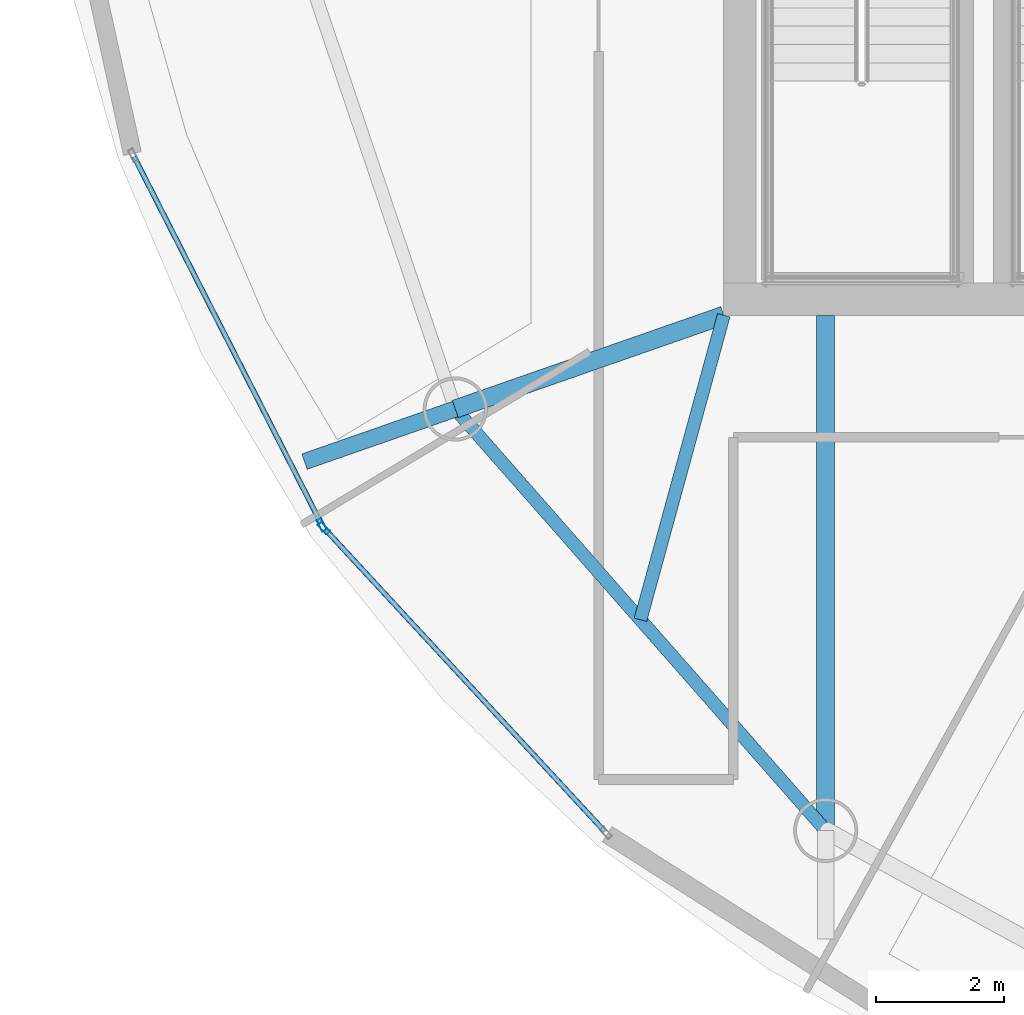
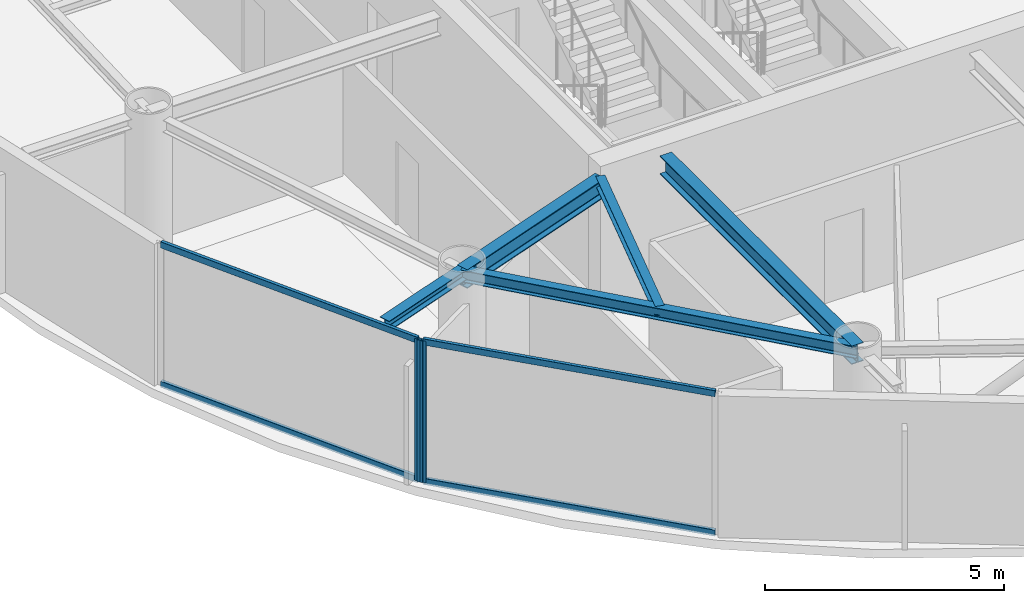
# One storey, part 3 of 22: 6 members, 5 beams, 2 elements without a shape of their own.
"""IFC4 building model written with IfcOpenShell, lengths in metres."""

from ifc_helpers import new_model, si_unit, direction, frame, origin, origin_2d, place, context, subcontext, project, spatial, hollow_rectangle, i_section, extrude, material, layer, layer_set, material_profile, profile_set, type_object, element, aggregate, save


model = new_model("IFC4")

# Units and contexts
model_context = context("Model", 3, precision=1e-05, world=origin(), true_north=direction((0.0, 1.0)))
body_context = subcontext(model_context, "Body", "Model", "MODEL_VIEW")
ifc_project = project(units=[si_unit("LENGTHUNIT", "METRE"), si_unit("AREAUNIT", "SQUARE_METRE"), si_unit("VOLUMEUNIT", "CUBIC_METRE"), si_unit("PLANEANGLEUNIT", "RADIAN"), si_unit("MASSUNIT", "GRAM", prefix="KILO")], contexts=[model_context])

# Site, building, storey
site_placement = place(None, origin())
site = spatial("IfcSite", under=ifc_project, at=site_placement, CompositionType="ELEMENT")
building_placement = place(site_placement, origin())
building = spatial("IfcBuilding", under=site, at=building_placement, Name="Bramvorn Convention Spire", CompositionType="ELEMENT")
storey_placement = place(building_placement, frame((0.0, 0.0, 253.60009765625)))
storey = spatial("IfcBuildingStorey", under=building, at=storey_placement, Name="L64", CompositionType="ELEMENT", Elevation=253.60009765625)

# Beams
ifc_material_1 = material(Name="Steel CSA G40.21 Grade 350 (350W)", Category="steel")
ifc_material_profile_1 = material_profile(ifc_material_1, i_section(OverallWidth=0.201904296875, OverallDepth=0.2470703125, WebThickness=0.00732421875, FlangeThickness=0.010986328125, FilletRadius=0.011962890625, at=origin_2d()))
ifc_profile_set_1 = profile_set([ifc_material_profile_1], Name="Steel CSA G40.21 Grade 350 (350W) - W250X49")
beam_type_1 = type_object("IfcBeamType", Name="BM-W250X49", PredefinedType="JOIST", material=ifc_profile_set_1)
beam_1_placement = place(storey_placement, frame((26.75, 18.550048828125, 3.50146484375), z_axis=(-0.26386506219, -0.96455960363, 0.0), x_axis=(0.96455960363, -0.26386506219, 0.0)))
element("IfcBeam", 1, at=beam_1_placement, inside=storey, type_object=beam_type_1, Name="L64 composite floor joist 13", PredefinedType="JOIST", context=body_context, shape_type="SweptSolid", body=[
    extrude(i_section(OverallWidth=0.201904296875, OverallDepth=0.2470703125, WebThickness=0.00732421875, FlangeThickness=0.010986328125, FilletRadius=0.011962890625, at=origin_2d()), origin(), (0.0, 0.0, 1.0), 4.917724609375),
])
ifc_material_profile_2 = material_profile(ifc_material_1, i_section(OverallWidth=0.25390625, OverallDepth=0.2529296875, WebThickness=0.008544921875, FlangeThickness=0.01416015625, FilletRadius=0.011962890625, at=origin_2d()))
ifc_profile_set_2 = profile_set([ifc_material_profile_2], Name="Steel CSA G40.21 Grade 350 (350W) - W250X73")
beam_type_2 = type_object("IfcBeamType", Name="BM-W250X73", PredefinedType="BEAM", material=ifc_profile_set_2)
beam_2_placement = place(storey_placement, frame((22.5673828125, 17.090087890625, 3.498291015625), z_axis=(-0.94411501002, -0.329616212974, 0.0), x_axis=(0.329616212974, -0.94411501002, 0.0)))
element("IfcBeam", 2, at=beam_2_placement, inside=storey, type_object=beam_type_2, Name="L64 slab-edge cantilever tip beam MC13", PredefinedType="BEAM", context=body_context, shape_type="SweptSolid", body=[
    extrude(i_section(OverallWidth=0.25390625, OverallDepth=0.2529296875, WebThickness=0.008544921875, FlangeThickness=0.01416015625, FilletRadius=0.011962890625, at=origin_2d()), origin(), (0.0, 0.0, 1.0), 2.48876953125),
])
ifc_material_profile_3 = material_profile(ifc_material_1, i_section(OverallWidth=0.202880859375, OverallDepth=0.302978515625, WebThickness=0.007568359375, FlangeThickness=0.01318359375, FilletRadius=0.013916015625, at=origin_2d()))
ifc_profile_set_3 = profile_set([ifc_material_profile_3], Name="Steel CSA G40.21 Grade 350 (350W) - W310X60")
beam_type_3 = type_object("IfcBeamType", Name="BM-W310X60", PredefinedType="JOIST", material=ifc_profile_set_3)
beam_3_placement = place(storey_placement, frame((22.5673828125, 17.090087890625, 3.473388671875), z_axis=(0.660073062339, -0.751201405999, 0.0), x_axis=(0.751201405999, 0.660073062339, 0.0)))
element("IfcBeam", 3, at=beam_3_placement, inside=storey, type_object=beam_type_3, Name="L64 mega-column ring beam 13", PredefinedType="JOIST", context=body_context, shape_type="SweptSolid", body=[
    extrude(i_section(OverallWidth=0.202880859375, OverallDepth=0.302978515625, WebThickness=0.007568359375, FlangeThickness=0.01318359375, FilletRadius=0.013916015625, at=origin_2d()), origin(), (0.0, 0.0, 1.0), 8.741943359375),
])
ifc_material_profile_4 = material_profile(ifc_material_1, i_section(OverallWidth=0.283935546875, OverallDepth=0.47607421875, WebThickness=0.014892578125, FlangeThickness=0.02392578125, FilletRadius=0.01806640625, at=origin_2d()))
ifc_profile_set_4 = profile_set([ifc_material_profile_4], Name="Steel CSA G40.21 Grade 350 (350W) - W460X158")
beam_type_4 = type_object("IfcBeamType", Name="BM-W460X158", PredefinedType="SPANDREL", material=ifc_profile_set_4)
beam_4_placement = place(storey_placement, frame((26.75, 18.550048828125, 3.386962890625), z_axis=(-0.944136391877, -0.329554962843, 0.0), x_axis=(0.329554962843, -0.944136391877, 0.0)))
element("IfcBeam", 4, at=beam_4_placement, inside=storey, type_object=beam_type_4, Name="L64 radial floor girder MC13", PredefinedType="SPANDREL", context=body_context, shape_type="SweptSolid", body=[
    extrude(i_section(OverallWidth=0.283935546875, OverallDepth=0.47607421875, WebThickness=0.014892578125, FlangeThickness=0.02392578125, FilletRadius=0.01806640625, at=origin_2d()), origin(), (0.0, 0.0, 1.0), 4.43017578125),
])
beam_5_placement = place(storey_placement, frame((28.337646484375, 18.550048828125, 3.386962890625), z_axis=(0.0, -1.0, 0.0), x_axis=(1.0, 0.0, 0.0)))
element("IfcBeam", 5, at=beam_5_placement, inside=storey, type_object=beam_type_4, Name="L64 radial floor girder MC14", PredefinedType="SPANDREL", context=body_context, shape_type="SweptSolid", body=[
    extrude(i_section(OverallWidth=0.283935546875, OverallDepth=0.47607421875, WebThickness=0.014892578125, FlangeThickness=0.02392578125, FilletRadius=0.01806640625, at=origin_2d()), origin(), (0.0, 0.0, 1.0), 8.02685546875),
])

# Curtain wall, member
ifc_material_2 = material(Name="Anodised Bronze Unitised Curtain Wall", Category="aluminium")
ifc_layer = layer(ifc_material_2, 0.179931640625)
ifc_layer_set = layer_set([ifc_layer], Name="Anodised Bronze Unitised Curtain Wall - CW-OFF-FRIT")
curtain_wall_type = type_object("IfcCurtainWallType", Name="CW-OFF-FRIT", PredefinedType="USERDEFINED", material=ifc_layer_set)
curtain_wall_1_placement = place(storey_placement, origin())
curtain_wall_1 = element("IfcCurtainWall", 6, at=curtain_wall_1_placement, inside=storey, type_object=curtain_wall_type, Name="L64 fritted glass curtain wall 18", ObjectType="UNITISED CURTAIN WALL", PredefinedType="USERDEFINED")
ifc_material_3 = material(Name="Anodised Bronze Aluminium 6063-T6", Category="aluminium")
ifc_material_profile_5 = material_profile(ifc_material_3, hollow_rectangle(XDim=0.080078125, YDim=0.199951171875, WallThickness=0.00390625, InnerFilletRadius=0.0009765625, OuterFilletRadius=0.00390625, at=origin_2d()))
ifc_profile_set_5 = profile_set([ifc_material_profile_5], Name="Anodised Bronze Aluminium 6063-T6 - CWM80X200")
member_type_1 = type_object("IfcMemberType", Name="CW-MUL-180", PredefinedType="MULLION", material=ifc_profile_set_5)
member_1_placement = place(storey_placement, frame((20.488037109375, 15.28271484375, 0.0), z_axis=(0.0, 0.0, 1.0), x_axis=(-0.890856910511, -0.45428401358, 0.0)))
member_1 = element("IfcMember", 7, at=member_1_placement, type_object=member_type_1, Name="CW3 mullion 1", PredefinedType="MULLION", context=body_context, shape_type="SweptSolid", body=[
    extrude(hollow_rectangle(XDim=0.080078125, YDim=0.199951171875, WallThickness=0.00390625, InnerFilletRadius=0.0009765625, OuterFilletRadius=0.00390625, at=origin_2d()), origin(), (0.0, 0.0, 1.0), 3.625),
])

curtain_wall_2_placement = place(storey_placement, origin())
curtain_wall_2 = element("IfcCurtainWall", 8, at=curtain_wall_2_placement, inside=storey, type_object=curtain_wall_type, Name="L64 fritted glass curtain wall 19", ObjectType="UNITISED CURTAIN WALL", PredefinedType="USERDEFINED")
member_2_placement = place(storey_placement, frame((20.52197265625, 15.234130859375, 0.0), z_axis=(0.0, 0.0, 1.0), x_axis=(-0.733955268868, -0.679197808669, 0.0)))
member_2 = element("IfcMember", 9, at=member_2_placement, type_object=member_type_1, Name="CW3 mullion 2", PredefinedType="MULLION", context=body_context, shape_type="SweptSolid", body=[
    extrude(hollow_rectangle(XDim=0.080078125, YDim=0.199951171875, WallThickness=0.00390625, InnerFilletRadius=0.0009765625, OuterFilletRadius=0.00390625, at=origin_2d()), origin(), (0.0, 0.0, 1.0), 3.625),
])

# Member
ifc_material_profile_6 = material_profile(ifc_material_3, hollow_rectangle(XDim=0.080078125, YDim=0.159912109375, WallThickness=0.00390625, InnerFilletRadius=0.0009765625, OuterFilletRadius=0.00390625, at=origin_2d()))
ifc_profile_set_6 = profile_set([ifc_material_profile_6], Name="Anodised Bronze Aluminium 6063-T6 - CWT80X160")
member_type_2 = type_object("IfcMemberType", Name="CW-TRN-150", PredefinedType="USERDEFINED", material=ifc_profile_set_6)
member_3_placement = place(storey_placement, frame((20.474365234375, 15.3095703125, 0.02978515625), z_axis=(-0.454287073258, 0.890855350251, 0.0), x_axis=(-0.890855350251, -0.454287073258, 0.0)))
member_3 = element("IfcMember", 10, at=member_3_placement, type_object=member_type_2, Name="CW3 transom 1.1", ObjectType="TRANSOM", PredefinedType="USERDEFINED", context=body_context, shape_type="SweptSolid", body=[
    extrude(hollow_rectangle(XDim=0.080078125, YDim=0.159912109375, WallThickness=0.00390625, InnerFilletRadius=0.0009765625, OuterFilletRadius=0.00390625, at=origin_2d()), origin(), (0.0, 0.0, 1.0), 6.406982421875),
])

member_4_placement = place(storey_placement, frame((20.474365234375, 15.3095703125, 3.594970703125), z_axis=(-0.454287073258, 0.890855350251, 0.0), x_axis=(-0.890855350251, -0.454287073258, 0.0)))
member_4 = element("IfcMember", 11, at=member_4_placement, type_object=member_type_2, Name="CW3 transom 1.2", ObjectType="TRANSOM", PredefinedType="USERDEFINED", context=body_context, shape_type="SweptSolid", body=[
    extrude(hollow_rectangle(XDim=0.080078125, YDim=0.159912109375, WallThickness=0.00390625, InnerFilletRadius=0.0009765625, OuterFilletRadius=0.00390625, at=origin_2d()), origin(), (0.0, 0.0, 1.0), 6.406982421875),
])

aggregate(curtain_wall_1, [member_1, member_3, member_4])

member_5_placement = place(storey_placement, frame((24.89404296875, 10.509521484375, 0.02978515625), z_axis=(-0.679199052531, 0.733954117804, 0.0), x_axis=(-0.733954117804, -0.679199052531, 0.0)))
member_5 = element("IfcMember", 12, at=member_5_placement, type_object=member_type_2, Name="CW3 transom 1.1", ObjectType="TRANSOM", PredefinedType="USERDEFINED", context=body_context, shape_type="SweptSolid", body=[
    extrude(hollow_rectangle(XDim=0.080078125, YDim=0.159912109375, WallThickness=0.00390625, InnerFilletRadius=0.0009765625, OuterFilletRadius=0.00390625, at=origin_2d()), origin(), (0.0, 0.0, 1.0), 6.4072265625),
])

member_6_placement = place(storey_placement, frame((24.89404296875, 10.509521484375, 3.594970703125), z_axis=(-0.679199052531, 0.733954117804, 0.0), x_axis=(-0.733954117804, -0.679199052531, 0.0)))
member_6 = element("IfcMember", 13, at=member_6_placement, type_object=member_type_2, Name="CW3 transom 1.2", ObjectType="TRANSOM", PredefinedType="USERDEFINED", context=body_context, shape_type="SweptSolid", body=[
    extrude(hollow_rectangle(XDim=0.080078125, YDim=0.159912109375, WallThickness=0.00390625, InnerFilletRadius=0.0009765625, OuterFilletRadius=0.00390625, at=origin_2d()), origin(), (0.0, 0.0, 1.0), 6.4072265625),
])

aggregate(curtain_wall_2, [member_2, member_5, member_6])

save(model, "model.ifc")
